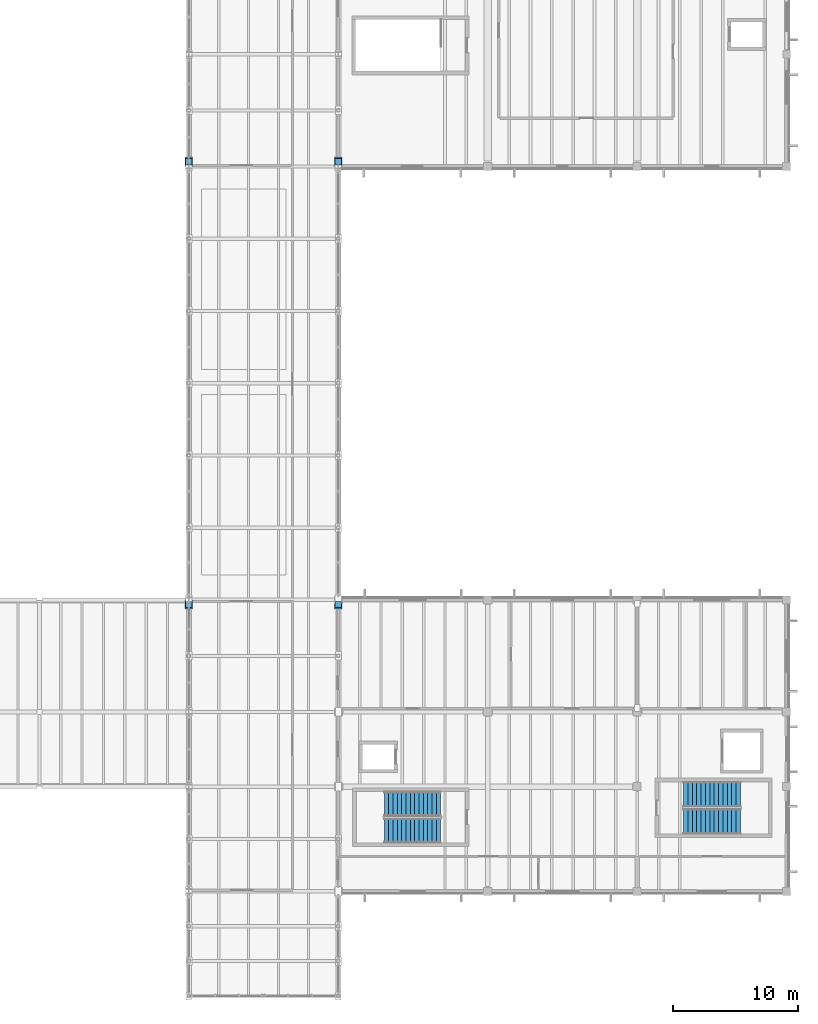
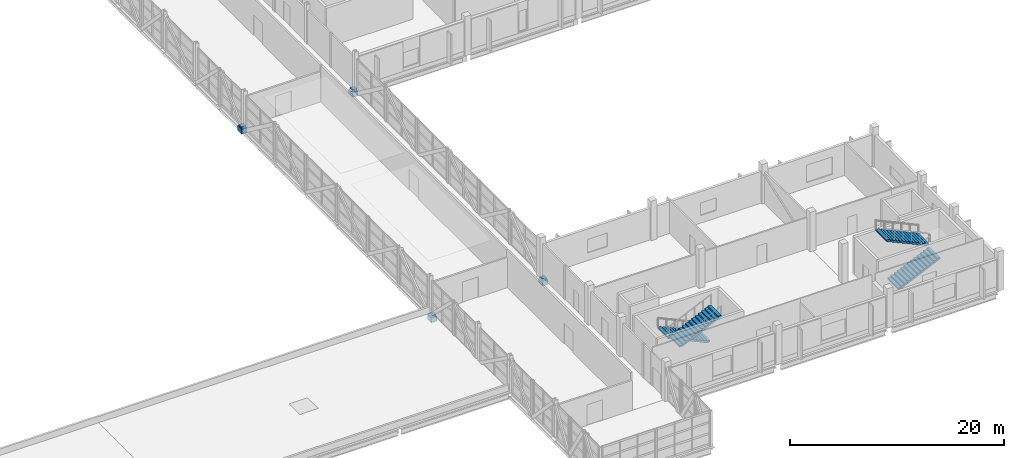
# One storey, part 52 of 63: 8 discrete accessories, 4 stair flights, 2 elements without a shape of their own.
"""IFC4 building model written with IfcOpenShell, lengths in metres."""

from ifc_helpers import new_model, si_unit, direction, frame, origin, origin_2d, place, context, subcontext, project, spatial, polyline, rectangle, outline, extrude, material, layer, layer_set, type_object, element, aggregate, save


model = new_model("IFC4")

# Units and contexts
model_context = context("Model", 3, precision=1e-05, world=origin(), true_north=direction((0.0, 1.0)))
body_context = subcontext(model_context, "Body", "Model", "MODEL_VIEW")
ifc_project = project(units=[si_unit("LENGTHUNIT", "METRE"), si_unit("AREAUNIT", "SQUARE_METRE"), si_unit("VOLUMEUNIT", "CUBIC_METRE"), si_unit("PLANEANGLEUNIT", "RADIAN"), si_unit("MASSUNIT", "GRAM", prefix="KILO")], contexts=[model_context])

# Site, building, storey
site_placement = place(None, origin())
site = spatial("IfcSite", under=ifc_project, at=site_placement, CompositionType="ELEMENT")
building_placement = place(site_placement, origin())
building = spatial("IfcBuilding", under=site, at=building_placement, Name="Kelmvaro Bay Concert Hall", CompositionType="ELEMENT")
storey_placement = place(building_placement, frame((0.0, 0.0, 13.800048828125)))
storey = spatial("IfcBuildingStorey", under=building, at=storey_placement, Name="L03", CompositionType="ELEMENT", Elevation=13.800048828125)

# Stair, stair flights
ifc_material_1 = material(Name="Concrete C40/50", Category="concrete")
stair_type_1 = type_object("IfcStairType", Name="Core Dogleg Exit Stair 1980", PredefinedType="USERDEFINED", material=ifc_material_1)
stair_1_placement = place(storey_placement, origin())
stair_1 = element("IfcStair", 1, at=stair_1_placement, inside=storey, type_object=stair_type_1, Name="L03 Exit Stair ST-05", ObjectType="TWO_RETURN_STAIR", PredefinedType="USERDEFINED")
ifc_material_2 = material(Name="Precast Concrete C40/50", Category="concrete")
stair_flight_type_1 = type_object("IfcStairFlightType", Name="Precast Concrete Core Stair Flight 1980", PredefinedType="STRAIGHT", material=ifc_material_2)
stair_flight_1_placement = place(storey_placement, frame((140.219970703125, 22.610107421875, 0.0), z_axis=(0.0, 0.0, 1.0), x_axis=(-1.0, 0.0, 0.0)))
stair_flight_1 = element("IfcStairFlight", 2, at=stair_flight_1_placement, type_object=stair_flight_type_1, Name="ST-05 flight 1", NumberOfRisers=14, NumberOfTreads=13, PredefinedType="STRAIGHT", RiserHeight=0.160714286, TreadLength=0.348, context=body_context, shape_type="SweptSolid", body=[
    extrude(outline(polyline([(0.0, 0.0), (0.0, 0.16064453125), (0.347900390625, 0.16064453125), (0.347900390625, 0.321533203125), (0.696044921875, 0.321533203125), (0.696044921875, 0.482177734375), (1.0439453125, 0.482177734375), (1.0439453125, 0.642822265625), (1.39208984375, 0.642822265625), (1.39208984375, 0.803466796875), (1.739990234375, 0.803466796875), (1.739990234375, 0.96435546875), (2.087890625, 0.96435546875), (2.087890625, 1.125), (2.43603515625, 1.125), (2.43603515625, 1.28564453125), (2.783935546875, 1.28564453125), (2.783935546875, 1.446533203125), (3.132080078125, 1.446533203125), (3.132080078125, 1.607177734375), (3.47998046875, 1.607177734375), (3.47998046875, 1.767822265625), (3.827880859375, 1.767822265625), (3.827880859375, 1.928466796875), (4.176025390625, 1.928466796875), (4.176025390625, 2.08935546875), (4.52392578125, 2.08935546875), (4.52392578125, 2.25), (4.52392578125, 1.924072265625), (0.357421875, 0.0), (0.0, 0.0)])), frame((0.0, 0.989990234375, 0.0), z_axis=(0.0, -1.0, 0.0), x_axis=(1.0, 0.0, 0.0)), (0.0, 0.0, 1.0), 1.97998046875),
])
stair_flight_2_placement = place(storey_placement, frame((135.696044921875, 20.47998046875, 2.25), z_axis=(0.0, 0.0, 1.0), x_axis=(1.0, 0.0, 0.0)))
stair_flight_2 = element("IfcStairFlight", 3, at=stair_flight_2_placement, type_object=stair_flight_type_1, Name="ST-05 flight 2", NumberOfRisers=14, NumberOfTreads=13, PredefinedType="STRAIGHT", RiserHeight=0.160714286, TreadLength=0.348, context=body_context, shape_type="SweptSolid", body=[
    extrude(outline(polyline([(0.0, 0.0), (0.0, 0.16064453125), (0.347900390625, 0.16064453125), (0.347900390625, 0.321533203125), (0.696044921875, 0.321533203125), (0.696044921875, 0.482177734375), (1.0439453125, 0.482177734375), (1.0439453125, 0.642822265625), (1.39208984375, 0.642822265625), (1.39208984375, 0.803466796875), (1.739990234375, 0.803466796875), (1.739990234375, 0.96435546875), (2.087890625, 0.96435546875), (2.087890625, 1.125), (2.43603515625, 1.125), (2.43603515625, 1.28564453125), (2.783935546875, 1.28564453125), (2.783935546875, 1.446533203125), (3.132080078125, 1.446533203125), (3.132080078125, 1.607177734375), (3.47998046875, 1.607177734375), (3.47998046875, 1.767822265625), (3.827880859375, 1.767822265625), (3.827880859375, 1.928466796875), (4.176025390625, 1.928466796875), (4.176025390625, 2.08935546875), (4.52392578125, 2.08935546875), (4.52392578125, 2.25), (4.52392578125, 1.924072265625), (0.357421875, 0.0), (0.0, 0.0)])), frame((0.0, 0.989990234375, 0.0), z_axis=(0.0, -1.0, 0.0), x_axis=(1.0, 0.0, 0.0)), (0.0, 0.0, 1.0), 1.97998046875),
])
aggregate(stair_1, [stair_flight_1, stair_flight_2])

ifc_material_3 = material(Name="Concrete C40/50", Category="concrete")
stair_type_2 = type_object("IfcStairType", Name="Core Dogleg Exit Stair 2000", PredefinedType="USERDEFINED", material=ifc_material_3)
stair_2_placement = place(storey_placement, origin())
stair_2 = element("IfcStair", 4, at=stair_2_placement, inside=storey, type_object=stair_type_2, Name="L03 Exit Stair ST-06", ObjectType="TWO_RETURN_STAIR", PredefinedType="USERDEFINED")
ifc_material_4 = material(Name="Precast Concrete C40/50", Category="concrete")
stair_flight_type_2 = type_object("IfcStairFlightType", Name="Precast Concrete Core Stair Flight 2000", PredefinedType="STRAIGHT", material=ifc_material_4)
stair_flight_3_placement = place(storey_placement, frame((159.719970703125, 21.2099609375, 0.0), z_axis=(0.0, 0.0, 1.0), x_axis=(1.0, 0.0, 0.0)))
stair_flight_3 = element("IfcStairFlight", 5, at=stair_flight_3_placement, type_object=stair_flight_type_2, Name="ST-06 flight 1", NumberOfRisers=14, NumberOfTreads=13, PredefinedType="STRAIGHT", RiserHeight=0.160714286, TreadLength=0.352, context=body_context, shape_type="SweptSolid", body=[
    extrude(outline(polyline([(0.0, 0.0), (0.0, 0.16064453125), (0.35205078125, 0.16064453125), (0.35205078125, 0.321533203125), (0.7041015625, 0.321533203125), (0.7041015625, 0.482177734375), (1.055908203125, 0.482177734375), (1.055908203125, 0.642822265625), (1.407958984375, 0.642822265625), (1.407958984375, 0.803466796875), (1.760009765625, 0.803466796875), (1.760009765625, 0.96435546875), (2.112060546875, 0.96435546875), (2.112060546875, 1.125), (2.464111328125, 1.125), (2.464111328125, 1.28564453125), (2.81591796875, 1.28564453125), (2.81591796875, 1.446533203125), (3.16796875, 1.446533203125), (3.16796875, 1.607177734375), (3.52001953125, 1.607177734375), (3.52001953125, 1.767822265625), (3.8720703125, 1.767822265625), (3.8720703125, 1.928466796875), (4.22412109375, 1.928466796875), (4.22412109375, 2.08935546875), (4.575927734375, 2.08935546875), (4.575927734375, 2.25), (4.575927734375, 1.924560546875), (0.36083984375, 0.0), (0.0, 0.0)])), frame((0.0, 1.010009765625, 0.0), z_axis=(0.0, -1.0, 0.0), x_axis=(1.0, 0.0, 0.0)), (0.0, 0.0, 1.0), 2.02001953125),
])
stair_flight_4_placement = place(storey_placement, frame((164.2958984375, 23.3798828125, 2.25), z_axis=(0.0, 0.0, 1.0), x_axis=(-1.0, 0.0, 0.0)))
stair_flight_4 = element("IfcStairFlight", 6, at=stair_flight_4_placement, type_object=stair_flight_type_2, Name="ST-06 flight 2", NumberOfRisers=14, NumberOfTreads=13, PredefinedType="STRAIGHT", RiserHeight=0.160714286, TreadLength=0.352, context=body_context, shape_type="SweptSolid", body=[
    extrude(outline(polyline([(0.0, 0.0), (0.0, 0.16064453125), (0.35205078125, 0.16064453125), (0.35205078125, 0.321533203125), (0.7041015625, 0.321533203125), (0.7041015625, 0.482177734375), (1.055908203125, 0.482177734375), (1.055908203125, 0.642822265625), (1.407958984375, 0.642822265625), (1.407958984375, 0.803466796875), (1.760009765625, 0.803466796875), (1.760009765625, 0.96435546875), (2.112060546875, 0.96435546875), (2.112060546875, 1.125), (2.464111328125, 1.125), (2.464111328125, 1.28564453125), (2.81591796875, 1.28564453125), (2.81591796875, 1.446533203125), (3.16796875, 1.446533203125), (3.16796875, 1.607177734375), (3.52001953125, 1.607177734375), (3.52001953125, 1.767822265625), (3.8720703125, 1.767822265625), (3.8720703125, 1.928466796875), (4.22412109375, 1.928466796875), (4.22412109375, 2.08935546875), (4.575927734375, 2.08935546875), (4.575927734375, 2.25), (4.575927734375, 1.924560546875), (0.36083984375, 0.0), (0.0, 0.0)])), frame((0.0, 1.010009765625, 0.0), z_axis=(0.0, -1.0, 0.0), x_axis=(1.0, 0.0, 0.0)), (0.0, 0.0, 1.0), 2.02001953125),
])
aggregate(stair_2, [stair_flight_3, stair_flight_4])

# Discrete accessories
ifc_material_5 = material(Name="Concrete C40/50", Category="concrete")
ifc_layer_1 = layer(ifc_material_5, 0.550048828125)
ifc_layer_set_1 = layer_set([ifc_layer_1], Name="Concrete C40/50")
discrete_accessory_type_1 = type_object("IfcDiscreteAccessoryType", Name="Bridge Sliding Seat Corbel 750x600x550", PredefinedType="BRACKET", material=ifc_layer_set_1)
for number, where, z_axis, x_axis, name in (
    (7, (120.0, 38.625, -0.72998046875), (0.0, 0.0, 1.0), (1.0, 0.0, 0.0), "Bridge 750 mm Sliding Seat Corbel South End Type A West"),
    (8, (132.0, 38.625, -0.72998046875), (0.0, 0.0, 1.0), (1.0, 0.0, 0.0), "Bridge 750 mm Sliding Seat Corbel South End Type A East"),
    (9, (120.0, 74.175048828125, -0.72998046875), (0.0, 0.0, 1.0), (1.0, 0.0, 0.0), "Bridge 750 mm Sliding Seat Corbel North End Type B West"),
    (10, (132.0, 74.175048828125, -0.72998046875), (0.0, 0.0, 1.0), (1.0, 0.0, 0.0), "Bridge 750 mm Sliding Seat Corbel North End Type B East"),
):
    element("IfcDiscreteAccessory", number, at=place(storey_placement, frame(where, z_axis=z_axis, x_axis=x_axis)), inside=storey, type_object=discrete_accessory_type_1, Name=name, PredefinedType="BRACKET", context=body_context, shape_type="SweptSolid", body=[
        extrude(rectangle(XDim=0.60009765625, YDim=0.75, at=origin_2d()), origin(), (0.0, 0.0, 1.0), 0.550048828125),
    ])
ifc_material_6 = material(Name="Steel-Laminated Neoprene Elastomer", Category="steel")
ifc_layer_2 = layer(ifc_material_6, 0.179931640625)
ifc_layer_set_2 = layer_set([ifc_layer_2], Name="Steel-Laminated Neoprene Elastomer")
discrete_accessory_type_2 = type_object("IfcDiscreteAccessoryType", Name="Elastomeric Acoustic Isolation Bearing 500x500x180", PredefinedType="BRACKET", material=ifc_layer_set_2)
for number, where, z_axis, x_axis, name in (
    (11, (120.0, 38.625, -0.18017578125), (0.0, 0.0, 1.0), (1.0, 0.0, 0.0), "Bridge Sliding Elastomeric Bearing South End Type A West"),
    (12, (132.0, 38.625, -0.18017578125), (0.0, 0.0, 1.0), (1.0, 0.0, 0.0), "Bridge Sliding Elastomeric Bearing South End Type A East"),
    (13, (120.0, 74.175048828125, -0.18017578125), (0.0, 0.0, 1.0), (1.0, 0.0, 0.0), "Bridge Sliding Elastomeric Bearing North End Type B West"),
    (14, (132.0, 74.175048828125, -0.18017578125), (0.0, 0.0, 1.0), (1.0, 0.0, 0.0), "Bridge Sliding Elastomeric Bearing North End Type B East"),
):
    element("IfcDiscreteAccessory", number, at=place(storey_placement, frame(where, z_axis=z_axis, x_axis=x_axis)), inside=storey, type_object=discrete_accessory_type_2, Name=name, PredefinedType="BRACKET", context=body_context, shape_type="SweptSolid", body=[
        extrude(rectangle(XDim=0.5, YDim=0.5, at=origin_2d()), origin(), (0.0, 0.0, 1.0), 0.179931640625),
    ])

save(model, "model.ifc")
